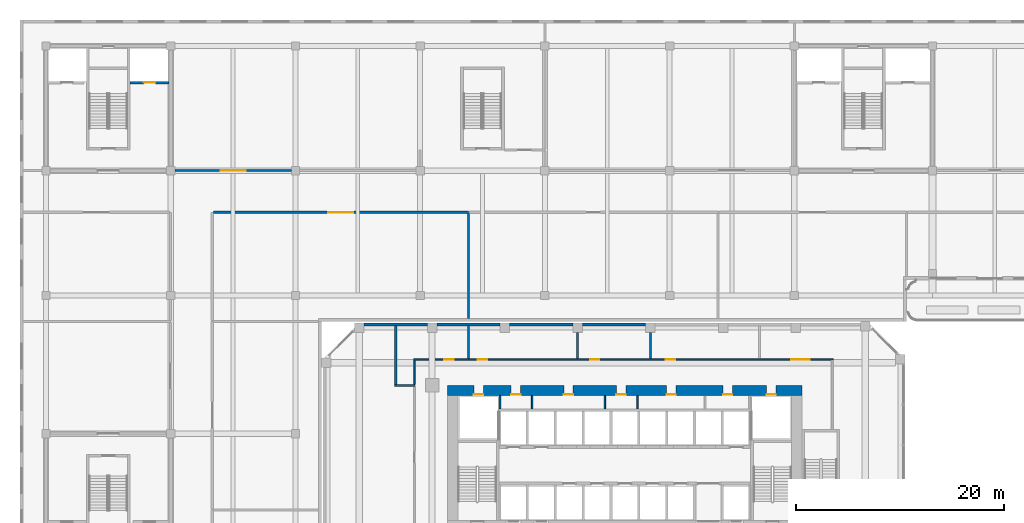
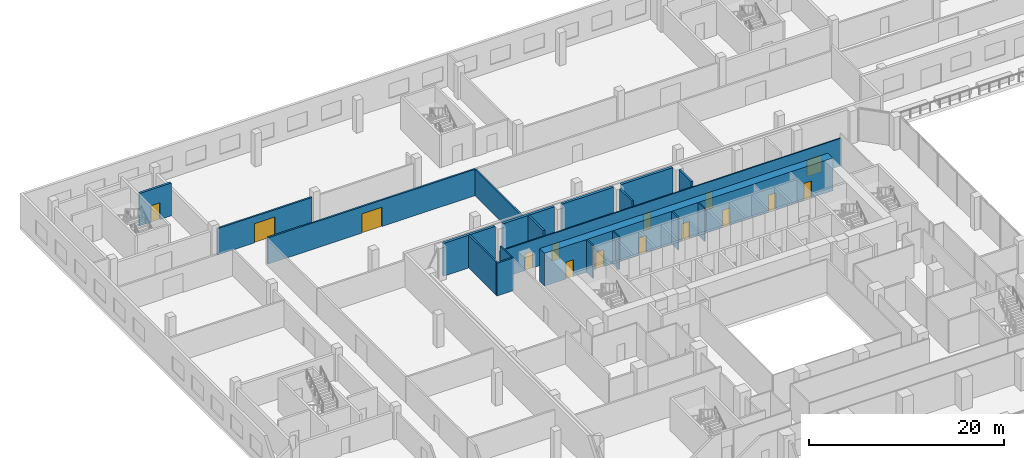
# One storey, part 21 of 35: 20 walls, 15 doors, 15 openings.
"""IFC4 building model written with IfcOpenShell, lengths in metres."""

from ifc_helpers import new_model, si_unit, direction, frame, frame_2d, origin, place, context, subcontext, project, spatial, rectangle, extrude, source, transform, mapped, material, layer, layer_set, type_object, element, fill, save


model = new_model("IFC4")

# Units and contexts
model_context = context("Model", 3, precision=1e-05, world=origin(), true_north=direction((0.0, 1.0)))
body_context = subcontext(model_context, "Body", "Model", "MODEL_VIEW")
ifc_project = project(units=[si_unit("LENGTHUNIT", "METRE"), si_unit("AREAUNIT", "SQUARE_METRE"), si_unit("VOLUMEUNIT", "CUBIC_METRE"), si_unit("PLANEANGLEUNIT", "RADIAN"), si_unit("MASSUNIT", "GRAM", prefix="KILO")], contexts=[model_context])

# Site, building, storey
site_placement = place(None, origin())
site = spatial("IfcSite", under=ifc_project, at=site_placement, CompositionType="ELEMENT")
building_placement = place(site_placement, origin())
building = spatial("IfcBuilding", under=site, at=building_placement, Name="Kilnfold Tower and Market Hall", CompositionType="ELEMENT")
storey_placement = place(building_placement, frame((0.0, 0.0, 13.5)))
storey = spatial("IfcBuildingStorey", under=building, at=storey_placement, Name="L02", CompositionType="ELEMENT", Elevation=13.5)

# Wall
ifc_material_1 = material(Name="Gypsum board on steel studs", Category="steel")
ifc_layer_1 = layer(ifc_material_1, 0.14990234375)
ifc_layer_set_1 = layer_set([ifc_layer_1], Name="Gypsum board on steel studs")
wall_type_1 = type_object("IfcWallType", Name="WALL CORRIDOR 150", PredefinedType="PARTITIONING", material=ifc_layer_set_1)
wall_1_placement = place(storey_placement, frame((-19.199951171875, 22.090087890625, 0.0), z_axis=(0.0, 0.0, 1.0), x_axis=(0.0, 1.0, 0.0)))
element("IfcWall", 1, at=wall_1_placement, inside=storey, type_object=wall_type_1, Name="Partition LY03.9", PredefinedType="PARTITIONING", context=body_context, shape_type="SweptSolid", body=[
    extrude(rectangle(XDim=2.3349609375, YDim=0.14990234375, at=frame_2d((1.16748046875, 0.0))), origin(), (0.0, 0.0, 1.0), 4.10009765625),
])

# Wall, openings, doors
wall_2_placement = place(storey_placement, frame((-19.27490234375, 24.5, 0.0), z_axis=(0.0, 0.0, 1.0), x_axis=(1.0, 0.0, 0.0)))
wall_2 = element("IfcWall", 2, at=wall_2_placement, inside=storey, type_object=wall_type_1, Name="Partition LY03.10", PredefinedType="PARTITIONING", context=body_context, shape_type="SweptSolid", body=[
    extrude(rectangle(XDim=40.349853515625, YDim=0.14990234375, at=frame_2d((20.1748046875, 0.0))), origin(), (0.0, 0.0, 1.0), 3.449951171875),
])
opening_1_placement = place(wall_2_placement, frame((2.958984375, 0.0, 0.0)))
opening_1 = element("IfcOpeningElement", 3, at=opening_1_placement, cuts=wall_2, Name="Opening D3", PredefinedType="OPENING", context=body_context, shape_type="SweptSolid", body=[
    extrude(rectangle(XDim=0.89990234375, YDim=2.10009765625, at=frame_2d((0.449951171875, 1.050048828125))), frame((0.0, 0.0849609375, 0.0), z_axis=(0.0, -1.0, 0.0), x_axis=(1.0, 0.0, 0.0)), (0.0, 0.0, 1.0), 0.169921875),
])
opening_2_placement = place(wall_2_placement, frame((6.1669921875, 0.0, 0.0)))
opening_2 = element("IfcOpeningElement", 4, at=opening_2_placement, cuts=wall_2, Name="Opening D3", PredefinedType="OPENING", context=body_context, shape_type="SweptSolid", body=[
    extrude(rectangle(XDim=0.89990234375, YDim=2.10009765625, at=frame_2d((0.449951171875, 1.050048828125))), frame((0.0, 0.0849609375, 0.0), z_axis=(0.0, -1.0, 0.0), x_axis=(1.0, 0.0, 0.0)), (0.0, 0.0, 1.0), 0.169921875),
])
opening_3_placement = place(wall_2_placement, frame((16.968994140625, 0.0, 0.0)))
opening_3 = element("IfcOpeningElement", 5, at=opening_3_placement, cuts=wall_2, Name="Opening D2", PredefinedType="OPENING", context=body_context, shape_type="SweptSolid", body=[
    extrude(rectangle(XDim=0.89990234375, YDim=2.10009765625, at=frame_2d((0.449951171875, 1.050048828125))), frame((0.0, 0.0849609375, 0.0), z_axis=(0.0, -1.0, 0.0), x_axis=(1.0, 0.0, 0.0)), (0.0, 0.0, 1.0), 0.169921875),
])
opening_4_placement = place(wall_2_placement, frame((24.26806640625, 0.0, 0.0)))
opening_4 = element("IfcOpeningElement", 6, at=opening_4_placement, cuts=wall_2, Name="Opening D2", PredefinedType="OPENING", context=body_context, shape_type="SweptSolid", body=[
    extrude(rectangle(XDim=0.89990234375, YDim=2.10009765625, at=frame_2d((0.449951171875, 1.050048828125))), frame((0.0, 0.0849609375, 0.0), z_axis=(0.0, -1.0, 0.0), x_axis=(1.0, 0.0, 0.0)), (0.0, 0.0, 1.0), 0.169921875),
])
opening_5_placement = place(wall_2_placement, frame((36.31494140625, 0.0, 0.0)))
opening_5 = element("IfcOpeningElement", 7, at=opening_5_placement, cuts=wall_2, Name="Opening D5", PredefinedType="OPENING", context=body_context, shape_type="SweptSolid", body=[
    extrude(rectangle(XDim=1.800048828125, YDim=2.10009765625, at=frame_2d((0.89990234375, 1.050048828125))), frame((0.0, 0.0849609375, 0.0), z_axis=(0.0, -1.0, 0.0), x_axis=(1.0, 0.0, 0.0)), (0.0, 0.0, 1.0), 0.169921875),
])
ifc_material_2 = material(Name="Timber veneer door leaf in steel frame", Category="steel")
door_type_1 = type_object("IfcDoorType", Name="DOOR DOUBLE 1800 X2100", OperationType="NOTDEFINED", PredefinedType="DOOR", material=ifc_material_2)
door_1_placement = place(opening_5_placement, origin())
door_1 = element("IfcDoor", 8, at=door_1_placement, inside=storey, type_object=door_type_1, Name="Door D5", OperationType="DOUBLE_DOOR_SINGLE_SWING", OverallHeight=2.10009765625, OverallWidth=1.800048828125, PredefinedType="DOOR", context=body_context, shape_type="SweptSolid", body=[
    extrude(rectangle(XDim=1.800048828125, YDim=2.10009765625, at=frame_2d((0.89990234375, 1.050048828125))), frame((0.0, 0.02490234375, 0.0), z_axis=(0.0, -1.0, 0.0), x_axis=(1.0, 0.0, 0.0)), (0.0, 0.0, 1.0), 0.050048828125),
])
fill(opening_5, door_1)
ifc_material_3 = material(Name="Timber veneer door leaf in steel frame", Category="steel")
door_type_2 = type_object("IfcDoorType", Name="DOOR ROOM 900 X2100", OperationType="NOTDEFINED", PredefinedType="DOOR", material=ifc_material_3)
door_2_placement = place(opening_3_placement, origin())
door_2 = element("IfcDoor", 9, at=door_2_placement, inside=storey, type_object=door_type_2, Name="Door D2", OperationType="SINGLE_SWING_RIGHT", OverallHeight=2.10009765625, OverallWidth=0.89990234375, PredefinedType="DOOR", context=body_context, shape_type="SweptSolid", body=[
    extrude(rectangle(XDim=0.89990234375, YDim=2.10009765625, at=frame_2d((0.449951171875, 1.050048828125))), frame((0.0, 0.02490234375, 0.0), z_axis=(0.0, -1.0, 0.0), x_axis=(1.0, 0.0, 0.0)), (0.0, 0.0, 1.0), 0.050048828125),
])
fill(opening_3, door_2)
door_3_placement = place(opening_4_placement, origin())
door_3 = element("IfcDoor", 10, at=door_3_placement, inside=storey, type_object=door_type_2, Name="Door D2", OperationType="SINGLE_SWING_RIGHT", OverallHeight=2.10009765625, OverallWidth=0.89990234375, PredefinedType="DOOR", context=body_context, shape_type="SweptSolid", body=[
    extrude(rectangle(XDim=0.89990234375, YDim=2.10009765625, at=frame_2d((0.449951171875, 1.050048828125))), frame((0.0, 0.02490234375, 0.0), z_axis=(0.0, -1.0, 0.0), x_axis=(1.0, 0.0, 0.0)), (0.0, 0.0, 1.0), 0.050048828125),
])
fill(opening_4, door_3)
ifc_material_4 = material(Name="Timber veneer door leaf in steel frame", Category="steel")
door_type_3 = type_object("IfcDoorType", Name="DOOR WC 900 X2100", OperationType="NOTDEFINED", PredefinedType="DOOR", material=ifc_material_4)
door_4_placement = place(opening_1_placement, origin())
door_4 = element("IfcDoor", 11, at=door_4_placement, inside=storey, type_object=door_type_3, Name="Door D3", OperationType="SINGLE_SWING_LEFT", OverallHeight=2.10009765625, OverallWidth=0.89990234375, PredefinedType="DOOR", context=body_context, shape_type="SweptSolid", body=[
    extrude(rectangle(XDim=0.89990234375, YDim=2.10009765625, at=frame_2d((0.449951171875, 1.050048828125))), frame((0.0, 0.02490234375, 0.0), z_axis=(0.0, -1.0, 0.0), x_axis=(1.0, 0.0, 0.0)), (0.0, 0.0, 1.0), 0.050048828125),
])
fill(opening_1, door_4)
door_5_placement = place(opening_2_placement, origin())
door_5 = element("IfcDoor", 12, at=door_5_placement, inside=storey, type_object=door_type_3, Name="Door D3", OperationType="SINGLE_SWING_RIGHT", OverallHeight=2.10009765625, OverallWidth=0.89990234375, PredefinedType="DOOR", context=body_context, shape_type="SweptSolid", body=[
    extrude(rectangle(XDim=0.89990234375, YDim=2.10009765625, at=frame_2d((0.449951171875, 1.050048828125))), frame((0.0, 0.02490234375, 0.0), z_axis=(0.0, -1.0, 0.0), x_axis=(1.0, 0.0, 0.0)), (0.0, 0.0, 1.0), 0.050048828125),
])
fill(opening_2, door_5)

# Walls
ifc_material_5 = material(Name="Gypsum board on steel studs", Category="steel")
ifc_layer_2 = layer(ifc_material_5, 0.199951171875)
ifc_layer_set_2 = layer_set([ifc_layer_2], Name="Gypsum board on steel studs")
wall_type_2 = type_object("IfcWallType", Name="WALL PARTY 200", PredefinedType="PARTITIONING", material=ifc_layer_set_2)
wall_3_placement = place(storey_placement, frame((-21.0, 22.10009765625, 0.0), z_axis=(0.0, 0.0, 1.0), x_axis=(0.0, 1.0, 0.0)))
element("IfcWall", 13, at=wall_3_placement, inside=storey, type_object=wall_type_2, Name="Partition LY03.50", PredefinedType="PARTITIONING", context=body_context, shape_type="SweptSolid", body=[
    extrude(rectangle(XDim=5.64990234375, YDim=0.199951171875, at=frame_2d((2.824951171875, 0.0))), origin(), (0.0, 0.0, 1.0), 4.10009765625),
])
wall_4_placement = place(storey_placement, frame((-19.1259765625, 22.0, 0.0), z_axis=(0.0, 0.0, 1.0), x_axis=(-1.0, 0.0, 0.0)))
element("IfcWall", 14, at=wall_4_placement, inside=storey, type_object=wall_type_2, Name="Partition LY03.51", PredefinedType="PARTITIONING", context=body_context, shape_type="SweptSolid", body=[
    extrude(rectangle(XDim=1.97412109375, YDim=0.199951171875, at=frame_2d((0.987060546875, 0.0))), origin(), (0.0, 0.0, 1.0), 4.10009765625),
])
wall_5_placement = place(storey_placement, frame((-14.0, 24.575927734375, 0.0), z_axis=(0.0, 0.0, 1.0), x_axis=(0.0, 1.0, 0.0)))
element("IfcWall", 15, at=wall_5_placement, inside=storey, type_object=wall_type_2, Name="Partition LY03.52", PredefinedType="PARTITIONING", context=body_context, shape_type="SweptSolid", body=[
    extrude(rectangle(XDim=3.174072265625, YDim=0.199951171875, at=frame_2d((1.5869140625, 0.0))), origin(), (0.0, 0.0, 1.0), 4.10009765625),
])
for number, where, z_axis, x_axis, name in (
    (16, (-3.5, 24.575927734375, 0.0), (0.0, 0.0, 1.0), (0.0, 1.0, 0.0), "Partition LY03.54"),
    (17, (3.5, 24.575927734375, 0.0), (0.0, 0.0, 1.0), (0.0, 1.0, 0.0), "Partition LY03.60"),
):
    element("IfcWall", number, at=place(storey_placement, frame(where, z_axis=z_axis, x_axis=x_axis)), inside=storey, type_object=wall_type_2, Name=name, PredefinedType="PARTITIONING", context=body_context, shape_type="SweptSolid", body=[
        extrude(rectangle(XDim=2.524169921875, YDim=0.199951171875, at=frame_2d((1.26220703125, 0.0))), origin(), (0.0, 0.0, 1.0), 4.10009765625),
    ])

# Wall, openings, doors
ifc_material_6 = material(Name="Concrete C80", Category="concrete")
ifc_layer_3 = layer(ifc_material_6, 1.0)
ifc_layer_set_3 = layer_set([ifc_layer_3], Name="Concrete C80")
wall_type_3 = type_object("IfcWallType", Name="CORE WALL 1000 C80", PredefinedType="SHEAR", material=ifc_layer_set_3)
shared_shape_1 = source(origin(), body_context, "Body", "SweptSolid", [
    extrude(rectangle(XDim=34.10009765625, YDim=1.0, at=frame_2d((17.050048828125, 0.0))), origin(), (0.0, 0.0, 1.0), 4.10009765625),
])
wall_6_placement = place(storey_placement, frame((-16.0, 21.5, 0.0), z_axis=(0.0, 0.0, 1.0), x_axis=(1.0, 0.0, 0.0)))
wall_6 = element("IfcWall", 18, at=wall_6_placement, inside=storey, type_object=wall_type_3, Name="Core outer wall north", PredefinedType="SHEAR", context=body_context, shape_type="MappedRepresentation", body=[
    mapped(shared_shape_1, transform((0.0, 0.0, 0.0))),
])
opening_6_placement = place(wall_6_placement, frame((6.10791015625, 0.0, 0.0)))
opening_6 = element("IfcOpeningElement", 19, at=opening_6_placement, cuts=wall_6, Name="Opening KD1", PredefinedType="OPENING", context=body_context, shape_type="SweptSolid", body=[
    extrude(rectangle(XDim=0.89990234375, YDim=2.10009765625, at=frame_2d((0.449951171875, 1.050048828125))), frame((0.0, 0.510009765625, 0.0), z_axis=(0.0, -1.0, 0.0), x_axis=(1.0, 0.0, 0.0)), (0.0, 0.0, 1.0), 1.02001953125),
])
opening_7_placement = place(wall_6_placement, frame((11.173095703125, 0.0, 0.0)))
opening_7 = element("IfcOpeningElement", 20, at=opening_7_placement, cuts=wall_6, Name="Opening KD1", PredefinedType="OPENING", context=body_context, shape_type="SweptSolid", body=[
    extrude(rectangle(XDim=0.89990234375, YDim=2.10009765625, at=frame_2d((0.449951171875, 1.050048828125))), frame((0.0, 0.510009765625, 0.0), z_axis=(0.0, -1.0, 0.0), x_axis=(1.0, 0.0, 0.0)), (0.0, 0.0, 1.0), 1.02001953125),
])
opening_8_placement = place(wall_6_placement, frame((16.23828125, 0.0, 0.0)))
opening_8 = element("IfcOpeningElement", 21, at=opening_8_placement, cuts=wall_6, Name="Opening KD1", PredefinedType="OPENING", context=body_context, shape_type="SweptSolid", body=[
    extrude(rectangle(XDim=0.89990234375, YDim=2.10009765625, at=frame_2d((0.449951171875, 1.050048828125))), frame((0.0, 0.510009765625, 0.0), z_axis=(0.0, -1.0, 0.0), x_axis=(1.0, 0.0, 0.0)), (0.0, 0.0, 1.0), 1.02001953125),
])
opening_9_placement = place(wall_6_placement, frame((21.062255859375, 0.0, 0.0)))
opening_9 = element("IfcOpeningElement", 22, at=opening_9_placement, cuts=wall_6, Name="Opening KD1", PredefinedType="OPENING", context=body_context, shape_type="SweptSolid", body=[
    extrude(rectangle(XDim=0.89990234375, YDim=2.10009765625, at=frame_2d((0.449951171875, 1.050048828125))), frame((0.0, 0.510009765625, 0.0), z_axis=(0.0, -1.0, 0.0), x_axis=(1.0, 0.0, 0.0)), (0.0, 0.0, 1.0), 1.02001953125),
])
opening_10_placement = place(wall_6_placement, frame((26.4892578125, 0.0, 0.0)))
opening_10 = element("IfcOpeningElement", 23, at=opening_10_placement, cuts=wall_6, Name="Opening KD1", PredefinedType="OPENING", context=body_context, shape_type="SweptSolid", body=[
    extrude(rectangle(XDim=0.89990234375, YDim=2.10009765625, at=frame_2d((0.449951171875, 1.050048828125))), frame((0.0, 0.510009765625, 0.0), z_axis=(0.0, -1.0, 0.0), x_axis=(1.0, 0.0, 0.0)), (0.0, 0.0, 1.0), 1.02001953125),
])
opening_11_placement = place(wall_6_placement, frame((2.52490234375, 0.0, 0.0)))
opening_11 = element("IfcOpeningElement", 24, at=opening_11_placement, cuts=wall_6, Name="Opening KD1", PredefinedType="OPENING", context=body_context, shape_type="SweptSolid", body=[
    extrude(rectangle(XDim=0.89990234375, YDim=2.10009765625, at=frame_2d((0.449951171875, 1.050048828125))), frame((0.0, 0.510009765625, 0.0), z_axis=(0.0, -1.0, 0.0), x_axis=(1.0, 0.0, 0.0)), (0.0, 0.0, 1.0), 1.02001953125),
])
opening_12_placement = place(wall_6_placement, frame((30.675048828125, 0.0, 0.0)))
opening_12 = element("IfcOpeningElement", 25, at=opening_12_placement, cuts=wall_6, Name="Opening KD1", PredefinedType="OPENING", context=body_context, shape_type="SweptSolid", body=[
    extrude(rectangle(XDim=0.89990234375, YDim=2.10009765625, at=frame_2d((0.449951171875, 1.050048828125))), frame((0.0, 0.510009765625, 0.0), z_axis=(0.0, -1.0, 0.0), x_axis=(1.0, 0.0, 0.0)), (0.0, 0.0, 1.0), 1.02001953125),
])
ifc_material_7 = material(Name="Steel door set with fire-resisting leaf", Category="steel")
door_type_4 = type_object("IfcDoorType", Name="SERVICE DOOR 900X2100", OperationType="NOTDEFINED", PredefinedType="DOOR", material=ifc_material_7)
door_6_placement = place(opening_6_placement, origin())
door_6 = element("IfcDoor", 26, at=door_6_placement, inside=storey, type_object=door_type_4, Name="Core service door", OperationType="SINGLE_SWING_RIGHT", OverallHeight=2.10009765625, OverallWidth=0.89990234375, PredefinedType="DOOR", context=body_context, shape_type="SweptSolid", body=[
    extrude(rectangle(XDim=0.89990234375, YDim=2.10009765625, at=frame_2d((0.449951171875, 1.050048828125))), frame((0.0, -0.35498046875, 0.0), z_axis=(0.0, -1.0, 0.0), x_axis=(1.0, 0.0, 0.0)), (0.0, 0.0, 1.0), 0.050048828125),
])
fill(opening_6, door_6)
door_7_placement = place(opening_7_placement, origin())
door_7 = element("IfcDoor", 27, at=door_7_placement, inside=storey, type_object=door_type_4, Name="Core service door", OperationType="SINGLE_SWING_LEFT", OverallHeight=2.10009765625, OverallWidth=0.89990234375, PredefinedType="DOOR", context=body_context, shape_type="SweptSolid", body=[
    extrude(rectangle(XDim=0.89990234375, YDim=2.10009765625, at=frame_2d((0.449951171875, 1.050048828125))), frame((0.0, -0.35498046875, 0.0), z_axis=(0.0, -1.0, 0.0), x_axis=(1.0, 0.0, 0.0)), (0.0, 0.0, 1.0), 0.050048828125),
])
fill(opening_7, door_7)
door_8_placement = place(opening_8_placement, origin())
door_8 = element("IfcDoor", 28, at=door_8_placement, inside=storey, type_object=door_type_4, Name="Core service door", OperationType="SINGLE_SWING_RIGHT", OverallHeight=2.10009765625, OverallWidth=0.89990234375, PredefinedType="DOOR", context=body_context, shape_type="SweptSolid", body=[
    extrude(rectangle(XDim=0.89990234375, YDim=2.10009765625, at=frame_2d((0.449951171875, 1.050048828125))), frame((0.0, -0.35498046875, 0.0), z_axis=(0.0, -1.0, 0.0), x_axis=(1.0, 0.0, 0.0)), (0.0, 0.0, 1.0), 0.050048828125),
])
fill(opening_8, door_8)
door_9_placement = place(opening_9_placement, origin())
door_9 = element("IfcDoor", 29, at=door_9_placement, inside=storey, type_object=door_type_4, Name="Core service door", OperationType="SINGLE_SWING_LEFT", OverallHeight=2.10009765625, OverallWidth=0.89990234375, PredefinedType="DOOR", context=body_context, shape_type="SweptSolid", body=[
    extrude(rectangle(XDim=0.89990234375, YDim=2.10009765625, at=frame_2d((0.449951171875, 1.050048828125))), frame((0.0, -0.35498046875, 0.0), z_axis=(0.0, -1.0, 0.0), x_axis=(1.0, 0.0, 0.0)), (0.0, 0.0, 1.0), 0.050048828125),
])
fill(opening_9, door_9)
door_10_placement = place(opening_10_placement, origin())
door_10 = element("IfcDoor", 30, at=door_10_placement, inside=storey, type_object=door_type_4, Name="Core service door", OperationType="SINGLE_SWING_RIGHT", OverallHeight=2.10009765625, OverallWidth=0.89990234375, PredefinedType="DOOR", context=body_context, shape_type="SweptSolid", body=[
    extrude(rectangle(XDim=0.89990234375, YDim=2.10009765625, at=frame_2d((0.449951171875, 1.050048828125))), frame((0.0, -0.35498046875, 0.0), z_axis=(0.0, -1.0, 0.0), x_axis=(1.0, 0.0, 0.0)), (0.0, 0.0, 1.0), 0.050048828125),
])
fill(opening_10, door_10)
door_11_placement = place(opening_11_placement, origin())
door_11 = element("IfcDoor", 31, at=door_11_placement, inside=storey, type_object=door_type_4, Name="Electrical riser access door", OperationType="SINGLE_SWING_LEFT", OverallHeight=2.10009765625, OverallWidth=0.89990234375, PredefinedType="DOOR", context=body_context, shape_type="SweptSolid", body=[
    extrude(rectangle(XDim=0.89990234375, YDim=2.10009765625, at=frame_2d((0.449951171875, 1.050048828125))), frame((0.0, -0.35498046875, 0.0), z_axis=(0.0, -1.0, 0.0), x_axis=(1.0, 0.0, 0.0)), (0.0, 0.0, 1.0), 0.050048828125),
])
fill(opening_11, door_11)
door_12_placement = place(opening_12_placement, origin())
door_12 = element("IfcDoor", 32, at=door_12_placement, inside=storey, type_object=door_type_4, Name="Mechanical riser access door", OperationType="SINGLE_SWING_RIGHT", OverallHeight=2.10009765625, OverallWidth=0.89990234375, PredefinedType="DOOR", context=body_context, shape_type="SweptSolid", body=[
    extrude(rectangle(XDim=0.89990234375, YDim=2.10009765625, at=frame_2d((0.449951171875, 1.050048828125))), frame((0.0, -0.35498046875, 0.0), z_axis=(0.0, -1.0, 0.0), x_axis=(1.0, 0.0, 0.0)), (0.0, 0.0, 1.0), 0.050048828125),
])
fill(opening_12, door_12)

# Wall, opening, door
ifc_material_8 = material(Name="Concrete C50/60", Category="concrete")
ifc_layer_4 = layer(ifc_material_8, 0.25)
ifc_layer_set_4 = layer_set([ifc_layer_4], Name="Concrete C50/60")
wall_type_4 = type_object("IfcWallType", Name="HALL CORE WALL 250", PredefinedType="SHEAR", material=ifc_layer_set_4)
shared_shape_2 = source(origin(), body_context, "Body", "SweptSolid", [
    extrude(rectangle(XDim=3.75, YDim=0.25, at=frame_2d((1.875, 0.0))), origin(), (0.0, 0.0, 1.0), 4.10009765625),
])
wall_7_placement = place(storey_placement, frame((-42.800048828125, 51.125, 0.0), z_axis=(0.0, 0.0, 1.0), x_axis=(-1.0, 0.0, 0.0)))
wall_7 = element("IfcWall", 33, at=wall_7_placement, inside=storey, type_object=wall_type_4, Name="Core wall MH2", PredefinedType="SHEAR", context=body_context, shape_type="MappedRepresentation", body=[
    mapped(shared_shape_2, transform((0.0, 0.0, 0.0))),
])
opening_13_placement = place(wall_7_placement, frame((1.324951171875, 0.0, 0.0)))
opening_13 = element("IfcOpeningElement", 34, at=opening_13_placement, cuts=wall_7, Name="Opening LD", PredefinedType="OPENING", context=body_context, shape_type="SweptSolid", body=[
    extrude(rectangle(XDim=1.10009765625, YDim=2.10009765625, at=frame_2d((0.550048828125, 1.050048828125))), frame((0.0, 0.135009765625, 0.0), z_axis=(0.0, -1.0, 0.0), x_axis=(1.0, 0.0, 0.0)), (0.0, 0.0, 1.0), 0.27001953125),
])
ifc_material_9 = material(Name="Steel S355", Category="steel")
door_type_5 = type_object("IfcDoorType", Name="HALL LANDING DOOR 1100X2100 FD60", OperationType="NOTDEFINED", PredefinedType="DOOR", material=ifc_material_9)
door_13_placement = place(opening_13_placement, origin())
door_13 = element("IfcDoor", 35, at=door_13_placement, inside=storey, type_object=door_type_5, Name="Door LD", OperationType="SLIDING_TO_LEFT", OverallHeight=2.10009765625, OverallWidth=1.10009765625, PredefinedType="DOOR", context=body_context, shape_type="SweptSolid", body=[
    extrude(rectangle(XDim=1.10009765625, YDim=2.10009765625, at=frame_2d((0.550048828125, 1.050048828125))), frame((0.0, 0.02490234375, 0.0), z_axis=(0.0, -1.0, 0.0), x_axis=(1.0, 0.0, 0.0)), (0.0, 0.0, 1.0), 0.050048828125),
])
fill(opening_13, door_13)

# Walls
ifc_material_10 = material(Name="Precast concrete C50/60", Category="concrete")
ifc_layer_5 = layer(ifc_material_10, 0.300048828125)
ifc_layer_set_5 = layer_set([ifc_layer_5], Name="Precast concrete C50/60")
wall_type_5 = type_object("IfcWallType", Name="PRECAST WALL 300", PredefinedType="SOLIDWALL", material=ifc_layer_set_5)
shared_shape_3 = source(origin(), body_context, "Body", "SweptSolid", [
    extrude(rectangle(XDim=6.10009765625, YDim=0.300048828125, at=frame_2d((3.050048828125, 0.0))), origin(), (0.0, 0.0, 1.0), 4.10009765625),
])
for number, where, z_axis, x_axis, name in (
    (36, (3.050048828125, 27.85009765625, 0.0), (0.0, 0.0, 1.0), (-1.0, 0.0, 0.0), "Party wall L02 N"),
    (37, (-3.949951171875, 27.85009765625, 0.0), (0.0, 0.0, 1.0), (-1.0, 0.0, 0.0), "Party wall L02 N"),
    (38, (-10.949951171875, 27.85009765625, 0.0), (0.0, 0.0, 1.0), (-1.0, 0.0, 0.0), "Party wall L02 N"),
    (39, (-17.949951171875, 27.85009765625, 0.0), (0.0, 0.0, 1.0), (-1.0, 0.0, 0.0), "Party wall L02 N"),
):
    element("IfcWall", number, at=place(storey_placement, frame(where, z_axis=z_axis, x_axis=x_axis)), inside=storey, type_object=wall_type_5, Name=name, PredefinedType="SOLIDWALL", context=body_context, shape_type="MappedRepresentation", body=[
        mapped(shared_shape_3, transform((0.0, 0.0, 0.0))),
    ])
ifc_material_11 = material(Name="Gypsum shaft wall system")
ifc_layer_6 = layer(ifc_material_11, 0.1650390625)
ifc_layer_set_6 = layer_set([ifc_layer_6], Name="Gypsum shaft wall system")
wall_type_6 = type_object("IfcWallType", Name="SHAFT WALL 165", PredefinedType="PARTITIONING", material=ifc_layer_set_6)
shared_shape_4 = source(origin(), body_context, "Body", "SweptSolid", [
    extrude(rectangle(XDim=1.27490234375, YDim=0.1650390625, at=frame_2d((0.637451171875, 0.0))), origin(), (0.0, 0.0, 1.0), 4.10009765625),
])
wall_8_placement = place(storey_placement, frame((-10.967529296875, 19.72509765625, 0.0), z_axis=(0.0, 0.0, 1.0), x_axis=(0.0, 1.0, 0.0)))
element("IfcWall", 40, at=wall_8_placement, inside=storey, type_object=wall_type_6, Name="Lift shaft wall", PredefinedType="PARTITIONING", context=body_context, shape_type="MappedRepresentation", body=[
    mapped(shared_shape_4, transform((0.0, 0.0, 0.0))),
])
ifc_material_12 = material(Name="Gypsum shaft wall system")
ifc_layer_7 = layer(ifc_material_12, 0.14990234375)
ifc_layer_set_7 = layer_set([ifc_layer_7], Name="Gypsum shaft wall system")
wall_type_7 = type_object("IfcWallType", Name="ROOM WALL 150", PredefinedType="PARTITIONING", material=ifc_layer_set_7)
shared_shape_5 = source(origin(), body_context, "Body", "SweptSolid", [
    extrude(rectangle(XDim=1.27490234375, YDim=0.14990234375, at=frame_2d((0.637451171875, 0.0))), origin(), (0.0, 0.0, 1.0), 4.10009765625),
])
for number, where, z_axis, x_axis, name in (
    (41, (-7.87451171875, 19.72509765625, 0.0), (0.0, 0.0, 1.0), (0.0, 1.0, 0.0), "Core room wall"),
    (42, (-0.879638671875, 19.72509765625, 0.0), (0.0, 0.0, 1.0), (0.0, 1.0, 0.0), "Core room wall"),
    (43, (2.256103515625, 19.72509765625, 0.0), (0.0, 0.0, 1.0), (0.0, 1.0, 0.0), "Core room wall"),
):
    element("IfcWall", number, at=place(storey_placement, frame(where, z_axis=z_axis, x_axis=x_axis)), inside=storey, type_object=wall_type_7, Name=name, PredefinedType="PARTITIONING", context=body_context, shape_type="MappedRepresentation", body=[
        mapped(shared_shape_5, transform((0.0, 0.0, 0.0))),
    ])

# Wall, opening, door
ifc_material_13 = material(Name="Concrete blockwork", Category="masonry")
ifc_layer_8 = layer(ifc_material_13, 0.199951171875)
ifc_layer_set_8 = layer_set([ifc_layer_8], Name="Concrete blockwork")
wall_type_8 = type_object("IfcWallType", Name="HALL PARTITION 200 EI 60", PredefinedType="PARTITIONING", material=ifc_layer_set_8)
shared_shape_6 = source(origin(), body_context, "Body", "SweptSolid", [
    extrude(rectangle(XDim=11.199951171875, YDim=0.199951171875, at=frame_2d((5.60009765625, 0.0))), origin(), (0.0, 0.0, 1.0), 3.300048828125),
])
wall_9_placement = place(storey_placement, frame((-42.25, 42.64990234375, 0.0), z_axis=(0.0, 0.0, 1.0), x_axis=(1.0, 0.0, 0.0)))
wall_9 = element("IfcWall", 44, at=wall_9_placement, inside=storey, type_object=wall_type_8, Name="Partition W-MH-L02.15", PredefinedType="PARTITIONING", context=body_context, shape_type="MappedRepresentation", body=[
    mapped(shared_shape_6, transform((0.0, 0.0, 0.0))),
])
opening_14_placement = place(wall_9_placement, frame((4.39990234375, 0.0, 0.0)))
opening_14 = element("IfcOpeningElement", 45, at=opening_14_placement, cuts=wall_9, Name="Opening MD7-60", PredefinedType="OPENING", context=body_context, shape_type="SweptSolid", body=[
    extrude(rectangle(XDim=2.39990234375, YDim=2.39990234375, at=frame_2d((1.199951171875, 1.199951171875))), frame((0.0, 0.10986328125, 0.0), z_axis=(0.0, -1.0, 0.0), x_axis=(1.0, 0.0, 0.0)), (0.0, 0.0, 1.0), 0.219970703125),
])
ifc_material_14 = material(Name="Aluminium glazing", Category="aluminium")
door_type_6 = type_object("IfcDoorType", Name="HALL DOOR HALL 2400X2400 FD60", OperationType="NOTDEFINED", PredefinedType="DOOR", material=ifc_material_14)
door_14_placement = place(opening_14_placement, origin())
door_14 = element("IfcDoor", 46, at=door_14_placement, inside=storey, type_object=door_type_6, Name="Door MD7-60", OperationType="DOUBLE_DOOR_SINGLE_SWING", OverallHeight=2.39990234375, OverallWidth=2.39990234375, PredefinedType="DOOR", context=body_context, shape_type="SweptSolid", body=[
    extrude(rectangle(XDim=2.39990234375, YDim=2.39990234375, at=frame_2d((1.199951171875, 1.199951171875))), frame((0.0, 0.02490234375, 0.0), z_axis=(0.0, -1.0, 0.0), x_axis=(1.0, 0.0, 0.0)), (0.0, 0.0, 1.0), 0.050048828125),
])
fill(opening_14, door_14)

# Wall
ifc_material_15 = material(Name="Concrete blockwork", Category="masonry")
ifc_layer_9 = layer(ifc_material_15, 0.199951171875)
ifc_layer_set_9 = layer_set([ifc_layer_9], Name="Concrete blockwork")
wall_type_9 = type_object("IfcWallType", Name="HALL PARTITION 200 EI 120", PredefinedType="PARTITIONING", material=ifc_layer_set_9)
shared_shape_7 = source(origin(), body_context, "Body", "SweptSolid", [
    extrude(rectangle(XDim=10.10009765625, YDim=0.199951171875, at=frame_2d((5.050048828125, 0.0))), origin(), (0.0, 0.0, 1.0), 3.300048828125),
])
wall_10_placement = place(storey_placement, frame((-14.0, 38.550048828125, 0.0), z_axis=(0.0, 0.0, 1.0), x_axis=(0.0, -1.0, 0.0)))
element("IfcWall", 47, at=wall_10_placement, inside=storey, type_object=wall_type_9, Name="Partition W-MH-L02.35", PredefinedType="PARTITIONING", context=body_context, shape_type="MappedRepresentation", body=[
    mapped(shared_shape_7, transform((0.0, 0.0, 0.0))),
])

# Wall, opening, door
shared_shape_8 = source(origin(), body_context, "Body", "SweptSolid", [
    extrude(rectangle(XDim=24.550048828125, YDim=0.199951171875, at=frame_2d((12.27490234375, 0.0))), origin(), (0.0, 0.0, 1.0), 3.300048828125),
])
wall_11_placement = place(storey_placement, frame((-14.0, 38.64990234375, 0.0), z_axis=(0.0, 0.0, 1.0), x_axis=(-1.0, 0.0, 0.0)))
wall_11 = element("IfcWall", 48, at=wall_11_placement, inside=storey, type_object=wall_type_8, Name="Partition W-MH-L02.34", PredefinedType="PARTITIONING", context=body_context, shape_type="MappedRepresentation", body=[
    mapped(shared_shape_8, transform((0.0, 0.0, 0.0))),
])
opening_15_placement = place(wall_11_placement, frame((11.074951171875, 0.0, 0.0)))
opening_15 = element("IfcOpeningElement", 49, at=opening_15_placement, cuts=wall_11, Name="Opening MD7-60", PredefinedType="OPENING", context=body_context, shape_type="SweptSolid", body=[
    extrude(rectangle(XDim=2.39990234375, YDim=2.39990234375, at=frame_2d((1.199951171875, 1.199951171875))), frame((0.0, 0.10986328125, 0.0), z_axis=(0.0, -1.0, 0.0), x_axis=(1.0, 0.0, 0.0)), (0.0, 0.0, 1.0), 0.219970703125),
])
door_15_placement = place(opening_15_placement, origin())
door_15 = element("IfcDoor", 50, at=door_15_placement, inside=storey, type_object=door_type_6, Name="Door MD7-60", OperationType="DOUBLE_DOOR_SINGLE_SWING", OverallHeight=2.39990234375, OverallWidth=2.39990234375, PredefinedType="DOOR", context=body_context, shape_type="SweptSolid", body=[
    extrude(rectangle(XDim=2.39990234375, YDim=2.39990234375, at=frame_2d((1.199951171875, 1.199951171875))), frame((0.0, 0.02490234375, 0.0), z_axis=(0.0, -1.0, 0.0), x_axis=(1.0, 0.0, 0.0)), (0.0, 0.0, 1.0), 0.050048828125),
])
fill(opening_15, door_15)

save(model, "model.ifc")
